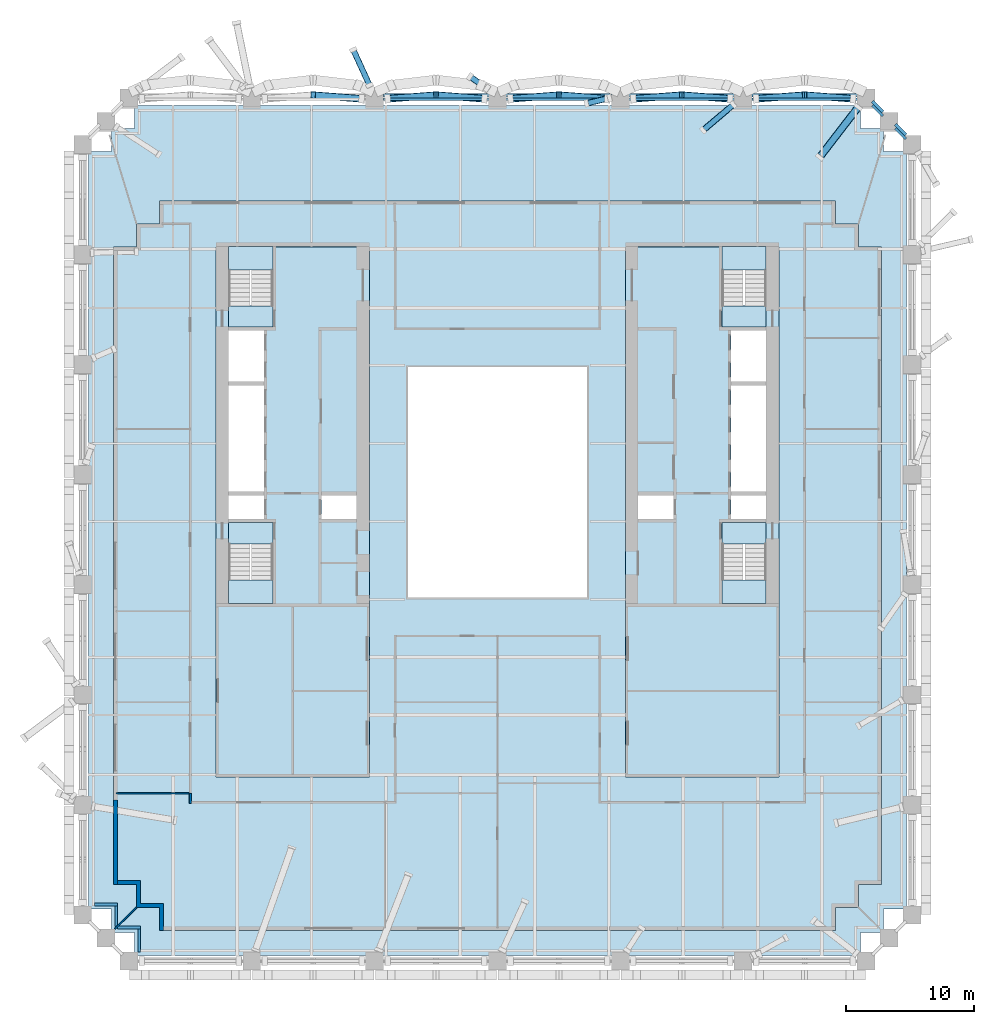
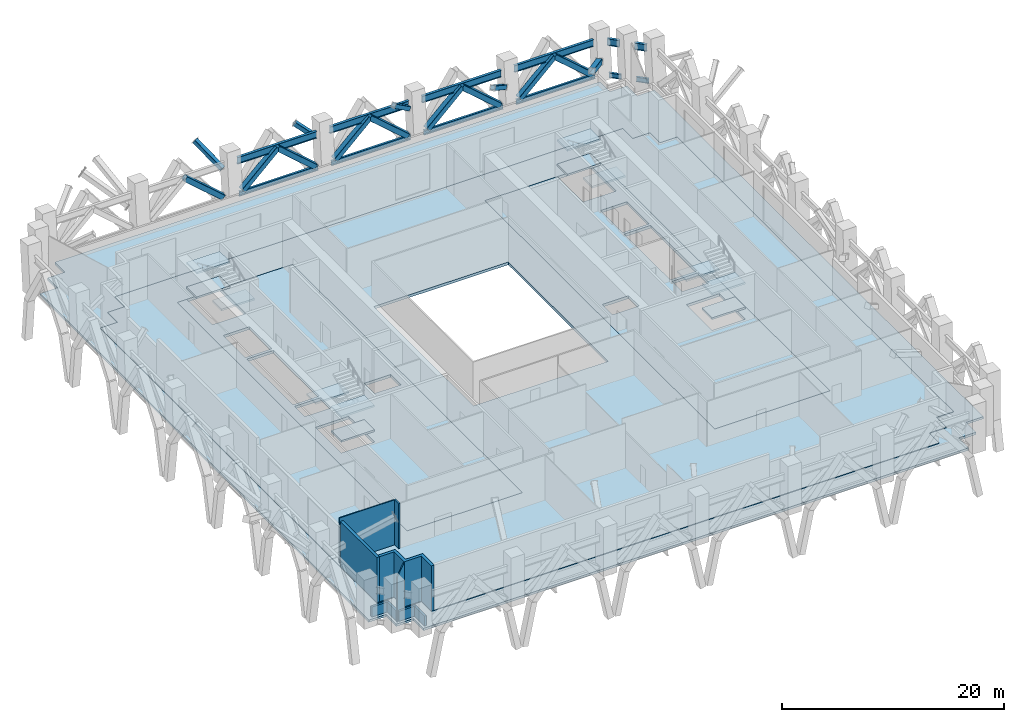
# One storey, part 4 of 19: 16 slabs, 14 members, 12 beams, 9 walls, 4 elements without a shape of their own.
"""IFC4 building model written with IfcOpenShell, lengths in metres."""

from ifc_helpers import new_model, si_unit, direction, frame, frame_2d, origin, origin_2d, place, context, subcontext, project, spatial, polyline, rectangle, hollow_rectangle, i_section, outline, extrude, material, layer, layer_set, material_profile, profile_set, type_object, element, aggregate, save


model = new_model("IFC4")

# Units and contexts
model_context = context("Model", 3, precision=1e-05, world=origin(), true_north=direction((0.0, 1.0)))
body_context = subcontext(model_context, "Body", "Model", "MODEL_VIEW")
ifc_project = project(units=[si_unit("LENGTHUNIT", "METRE"), si_unit("AREAUNIT", "SQUARE_METRE"), si_unit("VOLUMEUNIT", "CUBIC_METRE"), si_unit("PLANEANGLEUNIT", "RADIAN"), si_unit("MASSUNIT", "GRAM", prefix="KILO")], contexts=[model_context])

# Site, building, storey
site_placement = place(None, origin())
site = spatial("IfcSite", under=ifc_project, at=site_placement, CompositionType="ELEMENT")
building_placement = place(site_placement, origin())
building = spatial("IfcBuilding", under=site, at=building_placement, Name="Ogive Exchange Tower", CompositionType="ELEMENT")
storey_placement = place(building_placement, frame((0.0, 0.0, 94.199951171875)))
storey = spatial("IfcBuildingStorey", under=building, at=storey_placement, Name="L20", CompositionType="ELEMENT", Elevation=94.199951171875)

# Beams
ifc_material_1 = material(Name="Steel ASTM A992 Gr50", Category="steel")
ifc_material_profile_1 = material_profile(ifc_material_1, i_section(OverallWidth=0.2099609375, OverallDepth=0.535888671875, WebThickness=0.010986328125, FlangeThickness=0.017333984375, at=origin_2d()), Name="W530x101")
ifc_profile_set_1 = profile_set([ifc_material_profile_1], Name="Steel ASTM A992 Gr50")
beam_type_1 = type_object("IfcBeamType", Name="Belt truss bottom chord W530x101", PredefinedType="BEAM", material=ifc_profile_set_1)
beam_1_placement = place(storey_placement, frame((31.912109375, 33.833251953125, 0.400146484375), z_axis=(-0.707002063412, 0.707211483455, 0.0), x_axis=(-0.707211483455, -0.707002063412, 0.0)))
element("IfcBeam", 1, at=beam_1_placement, inside=storey, type_object=beam_type_1, Name="Belt truss bottom chord 16", PredefinedType="BEAM", context=body_context, shape_type="SweptSolid", body=[
    extrude(i_section(OverallWidth=0.2099609375, OverallDepth=0.535888671875, WebThickness=0.010986328125, FlangeThickness=0.017333984375, at=origin_2d()), origin(), (0.0, 0.0, 1.0), 1.165771484375),
])
beam_2_placement = place(storey_placement, frame((30.112060546875, 35.63330078125, 0.400146484375), z_axis=(-0.707106781187, 0.707106781187, 0.0), x_axis=(-0.707106781187, -0.707106781187, 0.0)))
element("IfcBeam", 2, at=beam_2_placement, inside=storey, type_object=beam_type_1, Name="Belt truss bottom chord 17", PredefinedType="BEAM", context=body_context, shape_type="SweptSolid", body=[
    extrude(i_section(OverallWidth=0.2099609375, OverallDepth=0.535888671875, WebThickness=0.010986328125, FlangeThickness=0.017333984375, at=origin_2d()), origin(), (0.0, 0.0, 1.0), 1.16552734375),
])
beam_3_placement = place(storey_placement, frame((28.1201171875, 36.945556640625, 0.400146484375), z_axis=(-1.0, 0.0, 0.0), x_axis=(0.0, -1.0, 0.0)))
element("IfcBeam", 3, at=beam_3_placement, inside=storey, type_object=beam_type_1, Name="Belt truss bottom chord 18", PredefinedType="BEAM", context=body_context, shape_type="SweptSolid", body=[
    extrude(i_section(OverallWidth=0.2099609375, OverallDepth=0.535888671875, WebThickness=0.010986328125, FlangeThickness=0.017333984375, at=origin_2d()), origin(), (0.0, 0.0, 1.0), 8.240234375),
])
for number, where, z_axis, x_axis, name in (
    (4, (18.52001953125, 36.945556640625, 0.400146484375), (-1.0, 0.0, 0.0), (0.0, -1.0, 0.0), "Belt truss bottom chord 19"),
    (5, (8.919921875, 36.945556640625, 0.400146484375), (-1.0, 0.0, 0.0), (0.0, -1.0, 0.0), "Belt truss bottom chord 20"),
    (6, (-0.679931640625, 36.945556640625, 0.400146484375), (-1.0, 0.0, 0.0), (0.0, -1.0, 0.0), "Belt truss bottom chord 21"),
):
    element("IfcBeam", number, at=place(storey_placement, frame(where, z_axis=z_axis, x_axis=x_axis)), inside=storey, type_object=beam_type_1, Name=name, PredefinedType="BEAM", context=body_context, shape_type="SweptSolid", body=[
        extrude(i_section(OverallWidth=0.2099609375, OverallDepth=0.535888671875, WebThickness=0.010986328125, FlangeThickness=0.017333984375, at=origin_2d()), origin(), (0.0, 0.0, 1.0), 8.239990234375),
    ])

# Members
ifc_material_2 = material(Name="Steel ASTM A1085 Gr A", Category="steel")
ifc_material_profile_2 = material_profile(ifc_material_2, hollow_rectangle(XDim=0.55908203125, YDim=0.55908203125, WallThickness=0.022216796875, InnerFilletRadius=0.022216796875, OuterFilletRadius=0.04443359375, at=origin_2d()), Name="HSS558.8x558.8x22.2")
ifc_profile_set_2 = profile_set([ifc_material_profile_2], Name="Steel ASTM A1085 Gr A")
member_type_1 = type_object("IfcMemberType", Name="Belt truss diagonal HSS558.8x558.8x22.2", PredefinedType="BRACE", material=ifc_profile_set_2)
for number, where, z_axis, x_axis, name in (
    (7, (27.782958984375, 36.97119140625, 0.68408203125), (-0.76327066083, 0.058519880288, 0.643423128219), (-0.076445538878, -0.997073758348, 0.0), "Belt truss diagonal 18a"),
    (8, (20.217041015625, 36.97119140625, 0.68408203125), (0.76327066083, 0.058519880288, 0.643423128219), (-0.076445538878, 0.997073758348, 0.0), "Belt truss diagonal 18b"),
):
    element("IfcMember", number, at=place(storey_placement, frame(where, z_axis=z_axis, x_axis=x_axis)), inside=storey, type_object=member_type_1, Name=name, PredefinedType="BRACE", context=body_context, shape_type="SweptSolid", body=[
        extrude(hollow_rectangle(XDim=0.55908203125, YDim=0.55908203125, WallThickness=0.022216796875, InnerFilletRadius=0.022216796875, OuterFilletRadius=0.04443359375, at=origin_2d()), origin(), (0.0, 0.0, 1.0), 4.956298828125),
    ])
member_1_placement = place(storey_placement, frame((18.18310546875, 36.97119140625, 0.68408203125), z_axis=(-0.763291221325, 0.058517680107, 0.643398937335), x_axis=(-0.076440634462, -0.997074134357, 0.0)))
element("IfcMember", 9, at=member_1_placement, inside=storey, type_object=member_type_1, Name="Belt truss diagonal 19a", PredefinedType="BRACE", context=body_context, shape_type="SweptSolid", body=[
    extrude(hollow_rectangle(XDim=0.55908203125, YDim=0.55908203125, WallThickness=0.022216796875, InnerFilletRadius=0.022216796875, OuterFilletRadius=0.04443359375, at=origin_2d()), origin(), (0.0, 0.0, 1.0), 4.95654296875),
])
for number, where, z_axis, x_axis, name in (
    (10, (10.616943359375, 36.97119140625, 0.68408203125), (0.76327066083, 0.058519880288, 0.643423128219), (-0.076445538878, 0.997073758348, 0.0), "Belt truss diagonal 19b"),
    (11, (8.5830078125, 36.97119140625, 0.68408203125), (-0.76327066083, 0.058519880288, 0.643423128219), (-0.076445538878, -0.997073758348, 0.0), "Belt truss diagonal 20a"),
    (12, (1.01708984375, 36.97119140625, 0.68408203125), (0.76327066083, 0.058519880288, 0.643423128219), (-0.076445538878, 0.997073758348, 0.0), "Belt truss diagonal 20b"),
    (13, (-1.01708984375, 36.97119140625, 0.68408203125), (-0.76327066083, 0.058519880288, 0.643423128219), (-0.076445538878, -0.997073758348, 0.0), "Belt truss diagonal 21a"),
    (14, (-8.5830078125, 36.97119140625, 0.68408203125), (0.76327066083, 0.058519880288, 0.643423128219), (-0.076445538878, 0.997073758348, 0.0), "Belt truss diagonal 21b"),
    (15, (-10.616943359375, 36.97119140625, 0.68408203125), (-0.76327066083, 0.058519880288, 0.643423128219), (-0.076445538878, -0.997073758348, 0.0), "Belt truss diagonal 22a"),
):
    element("IfcMember", number, at=place(storey_placement, frame(where, z_axis=z_axis, x_axis=x_axis)), inside=storey, type_object=member_type_1, Name=name, PredefinedType="BRACE", context=body_context, shape_type="SweptSolid", body=[
        extrude(hollow_rectangle(XDim=0.55908203125, YDim=0.55908203125, WallThickness=0.022216796875, InnerFilletRadius=0.022216796875, OuterFilletRadius=0.04443359375, at=origin_2d()), origin(), (0.0, 0.0, 1.0), 4.956298828125),
    ])

# Beams
ifc_material_profile_3 = material_profile(ifc_material_1, i_section(OverallWidth=0.26708984375, OverallDepth=0.75390625, WebThickness=0.01318359375, FlangeThickness=0.01708984375, at=origin_2d()), Name="W760x147")
ifc_profile_set_3 = profile_set([ifc_material_profile_3], Name="Steel ASTM A992 Gr50")
beam_type_2 = type_object("IfcBeamType", Name="Belt truss top chord W760x147", PredefinedType="BEAM", material=ifc_profile_set_3)
beam_4_placement = place(storey_placement, frame((31.912109375, 34.14892578125, 3.873046875), z_axis=(-0.707002063412, 0.707211483455, 0.0), x_axis=(-0.707211483455, -0.707002063412, 0.0)))
element("IfcBeam", 16, at=beam_4_placement, inside=storey, type_object=beam_type_2, Name="Belt truss top chord 16", PredefinedType="BEAM", context=body_context, shape_type="SweptSolid", body=[
    extrude(i_section(OverallWidth=0.26708984375, OverallDepth=0.75390625, WebThickness=0.01318359375, FlangeThickness=0.01708984375, at=origin_2d()), origin(), (0.0, 0.0, 1.0), 1.165771484375),
])
beam_5_placement = place(storey_placement, frame((30.112060546875, 35.948974609375, 3.873046875), z_axis=(-0.707106781187, 0.707106781187, 0.0), x_axis=(-0.707106781187, -0.707106781187, 0.0)))
element("IfcBeam", 17, at=beam_5_placement, inside=storey, type_object=beam_type_2, Name="Belt truss top chord 17", PredefinedType="BEAM", context=body_context, shape_type="SweptSolid", body=[
    extrude(i_section(OverallWidth=0.26708984375, OverallDepth=0.75390625, WebThickness=0.01318359375, FlangeThickness=0.01708984375, at=origin_2d()), origin(), (0.0, 0.0, 1.0), 1.16552734375),
])
beam_6_placement = place(storey_placement, frame((28.1201171875, 37.26123046875, 3.873046875), z_axis=(-1.0, 0.0, 0.0), x_axis=(0.0, -1.0, 0.0)))
element("IfcBeam", 18, at=beam_6_placement, inside=storey, type_object=beam_type_2, Name="Belt truss top chord 18", PredefinedType="BEAM", context=body_context, shape_type="SweptSolid", body=[
    extrude(i_section(OverallWidth=0.26708984375, OverallDepth=0.75390625, WebThickness=0.01318359375, FlangeThickness=0.01708984375, at=origin_2d()), origin(), (0.0, 0.0, 1.0), 8.240234375),
])
for number, where, z_axis, x_axis, name in (
    (19, (18.52001953125, 37.26123046875, 3.873046875), (-1.0, 0.0, 0.0), (0.0, -1.0, 0.0), "Belt truss top chord 19"),
    (20, (8.919921875, 37.26123046875, 3.873046875), (-1.0, 0.0, 0.0), (0.0, -1.0, 0.0), "Belt truss top chord 20"),
    (21, (-0.679931640625, 37.26123046875, 3.873046875), (-1.0, 0.0, 0.0), (0.0, -1.0, 0.0), "Belt truss top chord 21"),
):
    element("IfcBeam", number, at=place(storey_placement, frame(where, z_axis=z_axis, x_axis=x_axis)), inside=storey, type_object=beam_type_2, Name=name, PredefinedType="BEAM", context=body_context, shape_type="SweptSolid", body=[
        extrude(i_section(OverallWidth=0.26708984375, OverallDepth=0.75390625, WebThickness=0.01318359375, FlangeThickness=0.01708984375, at=origin_2d()), origin(), (0.0, 0.0, 1.0), 8.239990234375),
    ])

# Members
ifc_material_profile_4 = material_profile(ifc_material_2, hollow_rectangle(XDim=0.45703125, YDim=0.45703125, WallThickness=0.01904296875, InnerFilletRadius=0.01904296875, OuterFilletRadius=0.0380859375, at=origin_2d()), Name="HSS457.2x457.2x19")
ifc_profile_set_4 = profile_set([ifc_material_profile_4], Name="Steel ASTM A1085 Gr A")
member_type_2 = type_object("IfcMemberType", Name="Block-change strut HSS457.2x457.2x19", PredefinedType="STRUT", material=ifc_profile_set_4)
member_2_placement = place(storey_placement, frame((18.43115234375, 36.513427734375, 2.829833984375), z_axis=(-0.648336208207, -0.549538916728, 0.526941306152), x_axis=(0.646591166796, -0.762836721076, 0.0)))
element("IfcMember", 22, at=member_2_placement, inside=storey, type_object=member_type_2, Name="Block-change strut 18", PredefinedType="STRUT", context=body_context, shape_type="SweptSolid", body=[
    extrude(hollow_rectangle(XDim=0.45703125, YDim=0.45703125, WallThickness=0.01904296875, InnerFilletRadius=0.01904296875, OuterFilletRadius=0.0380859375, at=origin_2d()), origin(), (0.0, 0.0, 1.0), 3.630126953125),
])
member_3_placement = place(storey_placement, frame((8.760009765625, 37.034423828125, 3.571044921875), z_axis=(-0.820451109927, -0.193409646034, 0.538008071538), x_axis=(0.229446601159, -0.973321250778, 0.0)))
element("IfcMember", 23, at=member_3_placement, inside=storey, type_object=member_type_2, Name="Block-change strut 19", PredefinedType="STRUT", context=body_context, shape_type="SweptSolid", body=[
    extrude(hollow_rectangle(XDim=0.45703125, YDim=0.45703125, WallThickness=0.01904296875, InnerFilletRadius=0.01904296875, OuterFilletRadius=0.0380859375, at=origin_2d()), origin(), (0.0, 0.0, 1.0), 2.179931640625),
])
member_4_placement = place(storey_placement, frame((-0.819580078125, 37.794189453125, 3.580322265625), z_axis=(-0.666467052784, 0.456282112166, 0.589600120141), x_axis=(-0.564918617114, -0.825146626993, 0.0)))
element("IfcMember", 24, at=member_4_placement, inside=storey, type_object=member_type_2, Name="Block-change strut 20", PredefinedType="STRUT", context=body_context, shape_type="SweptSolid", body=[
    extrude(hollow_rectangle(XDim=0.45703125, YDim=0.45703125, WallThickness=0.01904296875, InnerFilletRadius=0.01904296875, OuterFilletRadius=0.0380859375, at=origin_2d()), origin(), (0.0, 0.0, 1.0), 1.985107421875),
])
member_5_placement = place(storey_placement, frame((-9.9951171875, 38.030517578125, 2.857421875), z_axis=(-0.35380407262, 0.772773601239, 0.526919006514), x_axis=(-0.909235799797, -0.416281467721, 0.0)))
element("IfcMember", 25, at=member_5_placement, inside=storey, type_object=member_type_2, Name="Block-change strut 21", PredefinedType="STRUT", context=body_context, shape_type="SweptSolid", body=[
    extrude(hollow_rectangle(XDim=0.45703125, YDim=0.45703125, WallThickness=0.01904296875, InnerFilletRadius=0.01904296875, OuterFilletRadius=0.0380859375, at=origin_2d()), origin(), (0.0, 0.0, 1.0), 3.577880859375),
])
ifc_material_profile_5 = material_profile(ifc_material_2, hollow_rectangle(XDim=0.55908203125, YDim=0.55908203125, WallThickness=0.022216796875, InnerFilletRadius=0.022216796875, OuterFilletRadius=0.04443359375, at=origin_2d()), Name="HSS558.8x558.8x22.2")
ifc_profile_set_5 = profile_set([ifc_material_profile_5], Name="Steel ASTM A1085 Gr A")
member_type_3 = type_object("IfcMemberType", Name="Block-change strut HSS558.8x558.8x22.2", PredefinedType="STRUT", material=ifc_profile_set_5)
member_6_placement = place(storey_placement, frame((28.187744140625, 36.322021484375, 2.309326171875), z_axis=(-0.54906158542, -0.713717556067, 0.434900707723), x_axis=(0.792598184277, -0.609744305657, 0.0)))
element("IfcMember", 26, at=member_6_placement, inside=storey, type_object=member_type_3, Name="Block-change strut 17", PredefinedType="STRUT", context=body_context, shape_type="SweptSolid", body=[
    extrude(hollow_rectangle(XDim=0.55908203125, YDim=0.55908203125, WallThickness=0.022216796875, InnerFilletRadius=0.022216796875, OuterFilletRadius=0.04443359375, at=origin_2d()), origin(), (0.0, 0.0, 1.0), 5.46826171875),
])

# Slabs
ifc_material_3 = material(Name="Concrete C50/60", Category="concrete")
ifc_layer_1 = layer(ifc_material_3, 0.300048828125)
ifc_layer_set_1 = layer_set([ifc_layer_1], Name="Composite floor slab 300")
slab_type_1 = type_object("IfcSlabType", Name="Composite floor slab 300", PredefinedType="FLOOR", material=ifc_layer_set_1)
slab_1_placement = place(storey_placement, frame((0.0, 0.0, -0.300048828125)))
element("IfcSlab", 27, at=slab_1_placement, inside=storey, type_object=slab_type_1, Name="Composite floor slab", PredefinedType="FLOOR", context=body_context, shape_type="SweptSolid", body=[
    extrude(outline(polyline([(-26.39990234375, -26.199951171875), (-28.199951171875, -26.199951171875), (-28.199951171875, -24.39990234375), (-30.0, -24.39990234375), (-30.0, 25.39990234375), (-28.199951171875, 25.39990234375), (-28.199951171875, 27.199951171875), (-26.39990234375, 27.199951171875), (-26.39990234375, 29.0), (26.39990234375, 29.0), (26.39990234375, 27.199951171875), (28.199951171875, 27.199951171875), (28.199951171875, 25.39990234375), (30.0, 25.39990234375), (30.0, -24.39990234375), (28.199951171875, -24.39990234375), (28.199951171875, -26.199951171875), (26.39990234375, -26.199951171875), (26.39990234375, -28.0), (-26.39990234375, -28.0), (-26.39990234375, -26.199951171875)]), holes=[polyline([(-10.0, -16.0), (-10.0, 25.39990234375), (-22.0, 25.39990234375), (-22.0, -16.0), (-10.0, -16.0)]), polyline([(10.0, -16.0), (22.0, -16.0), (22.0, 25.39990234375), (10.0, 25.39990234375), (10.0, -16.0)]), polyline([(-7.0, -2.0), (7.0, -2.0), (7.0, 16.0), (-7.0, 16.0), (-7.0, -2.0)])]), origin(), (0.0, 0.0, 1.0), 0.300048828125),
])
ifc_material_4 = material(Name="Concrete C70/85", Category="concrete")
ifc_layer_2 = layer(ifc_material_4, 0.300048828125)
ifc_layer_set_2 = layer_set([ifc_layer_2], Name="Core floor slab 300")
slab_type_2 = type_object("IfcSlabType", Name="Core floor slab 300", PredefinedType="FLOOR", material=ifc_layer_set_2)
slab_2_placement = place(storey_placement, frame((0.0, 0.0, -0.300048828125)))
element("IfcSlab", 28, at=slab_2_placement, inside=storey, type_object=slab_type_2, Name="Core floor slab", PredefinedType="FLOOR", context=body_context, shape_type="SweptSolid", body=[
    extrude(outline(polyline([(-10.0, 25.39990234375), (-10.0, -16.0), (-22.0, -16.0), (-22.0, 25.39990234375), (-21.0, 25.39990234375), (-21.0, 20.803955078125), (-17.550048828125, 20.803955078125), (-17.550048828125, 25.39990234375), (-10.0, 25.39990234375)]), holes=[polyline([(-17.550048828125, 2.196044921875), (-21.0, 2.196044921875), (-21.0, -2.449951171875), (-17.550048828125, -2.449951171875), (-17.550048828125, 2.196044921875)]), polyline([(-18.25, 5.992919921875), (-21.0, 5.992919921875), (-21.0, 4.14990234375), (-18.25, 4.14990234375), (-18.25, 5.992919921875)]), polyline([(-11.0, 5.992919921875), (-13.75, 5.992919921875), (-13.75, 4.14990234375), (-11.0, 4.14990234375), (-11.0, 5.992919921875)]), polyline([(-21.0, 14.564208984375), (-21.0, 6.29296875), (-18.25, 6.29296875), (-18.25, 14.564208984375), (-21.0, 14.564208984375)]), polyline([(-18.25, 18.85009765625), (-21.0, 18.85009765625), (-21.0, 14.8642578125), (-18.25, 14.8642578125), (-18.25, 18.85009765625)])]), origin(), (0.0, 0.0, 1.0), 0.300048828125),
])
slab_3_placement = place(storey_placement, frame((0.0, 0.0, -0.300048828125)))
element("IfcSlab", 29, at=slab_3_placement, inside=storey, type_object=slab_type_2, Name="Core floor slab", PredefinedType="FLOOR", context=body_context, shape_type="SweptSolid", body=[
    extrude(outline(polyline([(22.0, 25.39990234375), (22.0, -16.0), (10.0, -16.0), (10.0, 25.39990234375), (17.550048828125, 25.39990234375), (17.550048828125, 20.803955078125), (21.0, 20.803955078125), (21.0, 25.39990234375), (22.0, 25.39990234375)]), holes=[polyline([(21.0, 2.196044921875), (17.550048828125, 2.196044921875), (17.550048828125, -2.449951171875), (21.0, -2.449951171875), (21.0, 2.196044921875)]), polyline([(13.75, 5.992919921875), (11.0, 5.992919921875), (11.0, 4.14990234375), (13.75, 4.14990234375), (13.75, 5.992919921875)]), polyline([(21.0, 5.992919921875), (18.25, 5.992919921875), (18.25, 4.14990234375), (21.0, 4.14990234375), (21.0, 5.992919921875)]), polyline([(18.25, 14.564208984375), (18.25, 6.29296875), (21.0, 6.29296875), (21.0, 14.564208984375), (18.25, 14.564208984375)]), polyline([(21.0, 18.85009765625), (18.25, 18.85009765625), (18.25, 14.8642578125), (21.0, 14.8642578125), (21.0, 18.85009765625)])]), origin(), (0.0, 0.0, 1.0), 0.300048828125),
])
ifc_layer_3 = layer(ifc_material_3, 0.25)
ifc_layer_set_3 = layer_set([ifc_layer_3], Name="Loggia deck 250")
slab_type_3 = type_object("IfcSlabType", Name="Loggia deck 250", PredefinedType="FLOOR", material=ifc_layer_set_3)
slab_4_placement = place(storey_placement, frame((0.0, 0.0, -0.300048828125)))
element("IfcSlab", 30, at=slab_4_placement, inside=storey, type_object=slab_type_3, Name="Loggia deck", PredefinedType="FLOOR", context=body_context, shape_type="SweptSolid", body=[
    extrude(outline(polyline([(-28.35009765625, -28.14990234375), (-30.14990234375, -28.14990234375), (-30.14990234375, -26.35009765625), (-31.949951171875, -26.35009765625), (-31.949951171875, 32.859130859375), (-30.14990234375, 32.859130859375), (-30.14990234375, 34.6591796875), (-28.35009765625, 34.6591796875), (-28.35009765625, 36.458984375), (28.35009765625, 36.458984375), (28.35009765625, 34.6591796875), (30.14990234375, 34.6591796875), (30.14990234375, 32.859130859375), (31.949951171875, 32.859130859375), (31.949951171875, -26.35009765625), (30.14990234375, -26.35009765625), (30.14990234375, -28.14990234375), (28.35009765625, -28.14990234375), (28.35009765625, -29.949951171875), (-28.35009765625, -29.949951171875), (-28.35009765625, -28.14990234375)]), holes=[polyline([(26.39990234375, -26.199951171875), (28.199951171875, -26.199951171875), (28.199951171875, -24.39990234375), (30.0, -24.39990234375), (30.0, 25.39990234375), (28.199951171875, 25.39990234375), (28.199951171875, 27.199951171875), (26.39990234375, 27.199951171875), (26.39990234375, 29.0), (-26.39990234375, 29.0), (-26.39990234375, 27.199951171875), (-28.199951171875, 27.199951171875), (-28.199951171875, 25.39990234375), (-30.0, 25.39990234375), (-30.0, -24.39990234375), (-28.199951171875, -24.39990234375), (-28.199951171875, -26.199951171875), (-26.39990234375, -26.199951171875), (-26.39990234375, -28.0), (26.39990234375, -28.0), (26.39990234375, -26.199951171875)])]), origin(), (0.0, 0.0, 1.0), 0.25),
])

# Stair, slabs
ifc_material_5 = material(Name="Concrete C40/50", Category="concrete")
stair_type = type_object("IfcStairType", Name="Exit stair 1650 wide", PredefinedType="HALF_TURN_STAIR", material=ifc_material_5)
stair_1_placement = place(storey_placement, origin())
stair_1 = element("IfcStair", 31, at=stair_1_placement, inside=storey, type_object=stair_type, Name="L20 exit stair ST1", PredefinedType="HALF_TURN_STAIR")
ifc_layer_4 = layer(ifc_material_5, 0.199951171875)
ifc_layer_set_4 = layer_set([ifc_layer_4], Name="Stair landing 200 slab")
slab_type_4 = type_object("IfcSlabType", Name="Stair landing 200 slab", PredefinedType="LANDING", material=ifc_layer_set_4)
slab_5_placement = place(storey_placement, frame((0.0, 0.0, 1.150146484375)))
slab_5 = element("IfcSlab", 32, at=slab_5_placement, type_object=slab_type_4, Name="ST1 landing 1", PredefinedType="LANDING", context=body_context, shape_type="SweptSolid", body=[
    extrude(outline(polyline([(-21.0, -0.60791015625), (-21.0, -2.449951171875), (-17.550048828125, -2.449951171875), (-17.550048828125, -0.60791015625), (-21.0, -0.60791015625)])), origin(), (0.0, 0.0, 1.0), 0.199951171875),
])
slab_6_placement = place(storey_placement, frame((0.0, 0.0, 2.5)))
slab_6 = element("IfcSlab", 33, at=slab_6_placement, type_object=slab_type_4, Name="ST1 landing 2", PredefinedType="LANDING", context=body_context, shape_type="SweptSolid", body=[
    extrude(outline(polyline([(-21.0, 3.85009765625), (-21.0, 2.199951171875), (-17.550048828125, 2.199951171875), (-17.550048828125, 3.85009765625), (-21.0, 3.85009765625)])), origin(), (0.0, 0.0, 1.0), 0.199951171875),
])
slab_7_placement = place(storey_placement, frame((0.0, 0.0, 3.85009765625)))
slab_7 = element("IfcSlab", 34, at=slab_7_placement, type_object=slab_type_4, Name="ST1 landing 3", PredefinedType="LANDING", context=body_context, shape_type="SweptSolid", body=[
    extrude(outline(polyline([(-21.0, -0.60791015625), (-21.0, -2.449951171875), (-17.550048828125, -2.449951171875), (-17.550048828125, -0.60791015625), (-21.0, -0.60791015625)])), origin(), (0.0, 0.0, 1.0), 0.199951171875),
])
aggregate(stair_1, [slab_5, slab_6, slab_7])

stair_2_placement = place(storey_placement, origin())
stair_2 = element("IfcStair", 35, at=stair_2_placement, inside=storey, type_object=stair_type, Name="L20 exit stair ST2", PredefinedType="HALF_TURN_STAIR")
slab_8_placement = place(storey_placement, frame((0.0, 0.0, 1.150146484375)))
slab_8 = element("IfcSlab", 36, at=slab_8_placement, type_object=slab_type_4, Name="ST2 landing 1", PredefinedType="LANDING", context=body_context, shape_type="SweptSolid", body=[
    extrude(outline(polyline([(-17.550048828125, 23.60791015625), (-17.550048828125, 25.449951171875), (-21.0, 25.449951171875), (-21.0, 23.60791015625), (-17.550048828125, 23.60791015625)])), origin(), (0.0, 0.0, 1.0), 0.199951171875),
])
slab_9_placement = place(storey_placement, frame((0.0, 0.0, 2.5)))
slab_9 = element("IfcSlab", 37, at=slab_9_placement, type_object=slab_type_4, Name="ST2 landing 2", PredefinedType="LANDING", context=body_context, shape_type="SweptSolid", body=[
    extrude(outline(polyline([(-17.550048828125, 19.14990234375), (-17.550048828125, 20.800048828125), (-21.0, 20.800048828125), (-21.0, 19.14990234375), (-17.550048828125, 19.14990234375)])), origin(), (0.0, 0.0, 1.0), 0.199951171875),
])
slab_10_placement = place(storey_placement, frame((0.0, 0.0, 3.85009765625)))
slab_10 = element("IfcSlab", 38, at=slab_10_placement, type_object=slab_type_4, Name="ST2 landing 3", PredefinedType="LANDING", context=body_context, shape_type="SweptSolid", body=[
    extrude(outline(polyline([(-17.550048828125, 23.60791015625), (-17.550048828125, 25.449951171875), (-21.0, 25.449951171875), (-21.0, 23.60791015625), (-17.550048828125, 23.60791015625)])), origin(), (0.0, 0.0, 1.0), 0.199951171875),
])
aggregate(stair_2, [slab_8, slab_9, slab_10])

stair_3_placement = place(storey_placement, origin())
stair_3 = element("IfcStair", 39, at=stair_3_placement, inside=storey, type_object=stair_type, Name="L20 exit stair ST3", PredefinedType="HALF_TURN_STAIR")
slab_11_placement = place(storey_placement, frame((0.0, 0.0, 1.150146484375)))
slab_11 = element("IfcSlab", 40, at=slab_11_placement, type_object=slab_type_4, Name="ST3 landing 1", PredefinedType="LANDING", context=body_context, shape_type="SweptSolid", body=[
    extrude(outline(polyline([(17.550048828125, -0.60791015625), (17.550048828125, -2.449951171875), (21.0, -2.449951171875), (21.0, -0.60791015625), (17.550048828125, -0.60791015625)])), origin(), (0.0, 0.0, 1.0), 0.199951171875),
])
slab_12_placement = place(storey_placement, frame((0.0, 0.0, 2.5)))
slab_12 = element("IfcSlab", 41, at=slab_12_placement, type_object=slab_type_4, Name="ST3 landing 2", PredefinedType="LANDING", context=body_context, shape_type="SweptSolid", body=[
    extrude(outline(polyline([(17.550048828125, 3.85009765625), (17.550048828125, 2.199951171875), (21.0, 2.199951171875), (21.0, 3.85009765625), (17.550048828125, 3.85009765625)])), origin(), (0.0, 0.0, 1.0), 0.199951171875),
])
slab_13_placement = place(storey_placement, frame((0.0, 0.0, 3.85009765625)))
slab_13 = element("IfcSlab", 42, at=slab_13_placement, type_object=slab_type_4, Name="ST3 landing 3", PredefinedType="LANDING", context=body_context, shape_type="SweptSolid", body=[
    extrude(outline(polyline([(17.550048828125, -0.60791015625), (17.550048828125, -2.449951171875), (21.0, -2.449951171875), (21.0, -0.60791015625), (17.550048828125, -0.60791015625)])), origin(), (0.0, 0.0, 1.0), 0.199951171875),
])
aggregate(stair_3, [slab_11, slab_12, slab_13])

stair_4_placement = place(storey_placement, origin())
stair_4 = element("IfcStair", 43, at=stair_4_placement, inside=storey, type_object=stair_type, Name="L20 exit stair ST4", PredefinedType="HALF_TURN_STAIR")
slab_14_placement = place(storey_placement, frame((0.0, 0.0, 1.150146484375)))
slab_14 = element("IfcSlab", 44, at=slab_14_placement, type_object=slab_type_4, Name="ST4 landing 1", PredefinedType="LANDING", context=body_context, shape_type="SweptSolid", body=[
    extrude(outline(polyline([(21.0, 23.60791015625), (21.0, 25.449951171875), (17.550048828125, 25.449951171875), (17.550048828125, 23.60791015625), (21.0, 23.60791015625)])), origin(), (0.0, 0.0, 1.0), 0.199951171875),
])
slab_15_placement = place(storey_placement, frame((0.0, 0.0, 2.5)))
slab_15 = element("IfcSlab", 45, at=slab_15_placement, type_object=slab_type_4, Name="ST4 landing 2", PredefinedType="LANDING", context=body_context, shape_type="SweptSolid", body=[
    extrude(outline(polyline([(21.0, 19.14990234375), (21.0, 20.800048828125), (17.550048828125, 20.800048828125), (17.550048828125, 19.14990234375), (21.0, 19.14990234375)])), origin(), (0.0, 0.0, 1.0), 0.199951171875),
])
slab_16_placement = place(storey_placement, frame((0.0, 0.0, 3.85009765625)))
slab_16 = element("IfcSlab", 46, at=slab_16_placement, type_object=slab_type_4, Name="ST4 landing 3", PredefinedType="LANDING", context=body_context, shape_type="SweptSolid", body=[
    extrude(outline(polyline([(21.0, 23.60791015625), (21.0, 25.449951171875), (17.550048828125, 25.449951171875), (17.550048828125, 23.60791015625), (21.0, 23.60791015625)])), origin(), (0.0, 0.0, 1.0), 0.199951171875),
])
aggregate(stair_4, [slab_14, slab_15, slab_16])

# Walls
ifc_material_6 = material(Name="Fire partition EI 60 150")
ifc_layer_5 = layer(ifc_material_6, 0.14990234375)
ifc_layer_set_5 = layer_set([ifc_layer_5], Name="Fire partition EI 60 150")
wall_type_1 = type_object("IfcWallType", Name="Fire partition EI 60 150", PredefinedType="PARTITIONING", material=ifc_layer_set_5)
wall_1_placement = place(storey_placement, frame((-24.0, -18.074951171875, 0.0), z_axis=(0.0, 0.0, 1.0), x_axis=(0.0, 1.0, 0.0)))
element("IfcWall", 47, at=wall_1_placement, inside=storey, type_object=wall_type_1, Name="L20-PWL-002", PredefinedType="PARTITIONING", context=body_context, shape_type="SweptSolid", body=[
    extrude(rectangle(XDim=0.784912109375, YDim=0.14990234375, at=frame_2d((0.392578125, 0.0))), origin(), (0.0, 0.0, 1.0), 4.949951171875),
])
ifc_material_7 = material(Name="Precast concrete C40/50", Category="concrete")
ifc_layer_6 = layer(ifc_material_7, 0.300048828125)
ifc_layer_set_6 = layer_set([ifc_layer_6], Name="Limestone-faced wall 300")
wall_type_2 = type_object("IfcWallType", Name="Limestone-faced wall 300", PredefinedType="STANDARD", material=ifc_layer_set_6)
wall_2_placement = place(storey_placement, origin())
element("IfcWall", 48, at=wall_2_placement, inside=storey, type_object=wall_type_2, Name="External corner wall C4", PredefinedType="STANDARD", context=body_context, shape_type="SweptSolid", body=[
    extrude(outline(polyline([(-26.39990234375, -26.199951171875), (-28.199951171875, -26.199951171875), (-28.199951171875, -24.39990234375), (-29.699951171875, -24.39990234375), (-29.699951171875, -24.10009765625), (-27.89990234375, -24.10009765625), (-27.89990234375, -25.89990234375), (-26.10009765625, -25.89990234375), (-26.10009765625, -28.0), (-26.39990234375, -28.0), (-26.39990234375, -26.199951171875)])), origin(), (0.0, 0.0, 1.0), 4.949951171875),
])
wall_3_placement = place(storey_placement, frame((-29.85009765625, -17.83251953125, 0.0), z_axis=(0.0, 0.0, 1.0), x_axis=(0.0, -1.0, 0.0)))
element("IfcWall", 49, at=wall_3_placement, inside=storey, type_object=wall_type_2, Name="External wall W4", PredefinedType="STANDARD", context=body_context, shape_type="SweptSolid", body=[
    extrude(rectangle(XDim=6.5673828125, YDim=0.300048828125, at=frame_2d((3.28369140625, 0.0))), origin(), (0.0, 0.0, 1.0), 4.949951171875),
])
ifc_material_8 = material(Name="Laminated safety glass in steel frame", Category="steel")
ifc_layer_7 = layer(ifc_material_8, 0.10009765625)
ifc_layer_set_7 = layer_set([ifc_layer_7], Name="Loggia end screen 100")
wall_type_3 = type_object("IfcWallType", Name="Loggia end screen 100", PredefinedType="STANDARD", material=ifc_layer_set_7)
wall_4_placement = place(storey_placement, frame((-28.199951171875, -26.199951171875, -0.050048828125), z_axis=(0.0, 0.0, 1.0), x_axis=(-0.707106781187, -0.707106781187, 0.0)))
element("IfcWall", 50, at=wall_4_placement, inside=storey, type_object=wall_type_3, Name="Loggia end screen C4", PredefinedType="STANDARD", context=body_context, shape_type="SweptSolid", body=[
    extrude(rectangle(XDim=2.384521484375, YDim=0.10009765625, at=frame_2d((1.1923828125, 0.0))), origin(), (0.0, 0.0, 1.0), 5.0),
])
ifc_material_9 = material(Name="Partition 100 gypsum")
ifc_layer_8 = layer(ifc_material_9, 0.10009765625)
ifc_layer_set_8 = layer_set([ifc_layer_8], Name="Partition 100 gypsum")
wall_type_4 = type_object("IfcWallType", Name="Partition 100 gypsum", PredefinedType="PARTITIONING", material=ifc_layer_set_8)
wall_5_placement = place(storey_placement, frame((-24.074951171875, -17.2900390625, 0.0), z_axis=(0.0, 0.0, 1.0), x_axis=(-1.0, 0.0, 0.0)))
element("IfcWall", 51, at=wall_5_placement, inside=storey, type_object=wall_type_4, Name="L20-PWL-003", PredefinedType="PARTITIONING", context=body_context, shape_type="SweptSolid", body=[
    extrude(rectangle(XDim=5.72509765625, YDim=0.10009765625, at=frame_2d((2.862548828125, 0.0))), origin(), (0.0, 0.0, 1.0), 4.949951171875),
])
ifc_layer_9 = layer(ifc_material_7, 0.199951171875)
ifc_layer_set_9 = layer_set([ifc_layer_9], Name="Plant deck parapet 200")
wall_type_5 = type_object("IfcWallType", Name="Plant deck parapet 200", PredefinedType="STANDARD", material=ifc_layer_set_9)
wall_6_placement = place(storey_placement, frame((-31.47998046875, -25.97998046875, -0.050048828125), z_axis=(0.0, 0.0, 1.0), x_axis=(1.0, 0.0, 0.0)))
element("IfcWall", 52, at=wall_6_placement, inside=storey, type_object=wall_type_5, Name="Plant deck parapet 17", PredefinedType="STANDARD", context=body_context, shape_type="SweptSolid", body=[
    extrude(rectangle(XDim=1.800048828125, YDim=0.199951171875, at=frame_2d((0.89990234375, 0.0))), origin(), (0.0, 0.0, 1.0), 1.10009765625),
])
wall_7_placement = place(storey_placement, frame((-29.780029296875, -26.080078125, -0.050048828125), z_axis=(0.0, 0.0, 1.0), x_axis=(0.0, -1.0, 0.0)))
element("IfcWall", 53, at=wall_7_placement, inside=storey, type_object=wall_type_5, Name="Plant deck parapet 18", PredefinedType="STANDARD", context=body_context, shape_type="SweptSolid", body=[
    extrude(rectangle(XDim=1.60791015625, YDim=0.199951171875, at=frame_2d((0.803955078125, 0.0))), origin(), (0.0, 0.0, 1.0), 1.10009765625),
])
for number, where, z_axis, x_axis, name in (
    (54, (-29.679931640625, -27.780029296875, -0.050048828125), (0.0, 0.0, 1.0), (1.0, 0.0, 0.0), "Plant deck parapet 19"),
    (55, (-27.97998046875, -27.8798828125, -0.050048828125), (0.0, 0.0, 1.0), (0.0, -1.0, 0.0), "Plant deck parapet 20"),
):
    element("IfcWall", number, at=place(storey_placement, frame(where, z_axis=z_axis, x_axis=x_axis)), inside=storey, type_object=wall_type_5, Name=name, PredefinedType="STANDARD", context=body_context, shape_type="SweptSolid", body=[
        extrude(rectangle(XDim=1.800048828125, YDim=0.199951171875, at=frame_2d((0.89990234375, 0.0))), origin(), (0.0, 0.0, 1.0), 1.10009765625),
    ])

save(model, "model.ifc")
